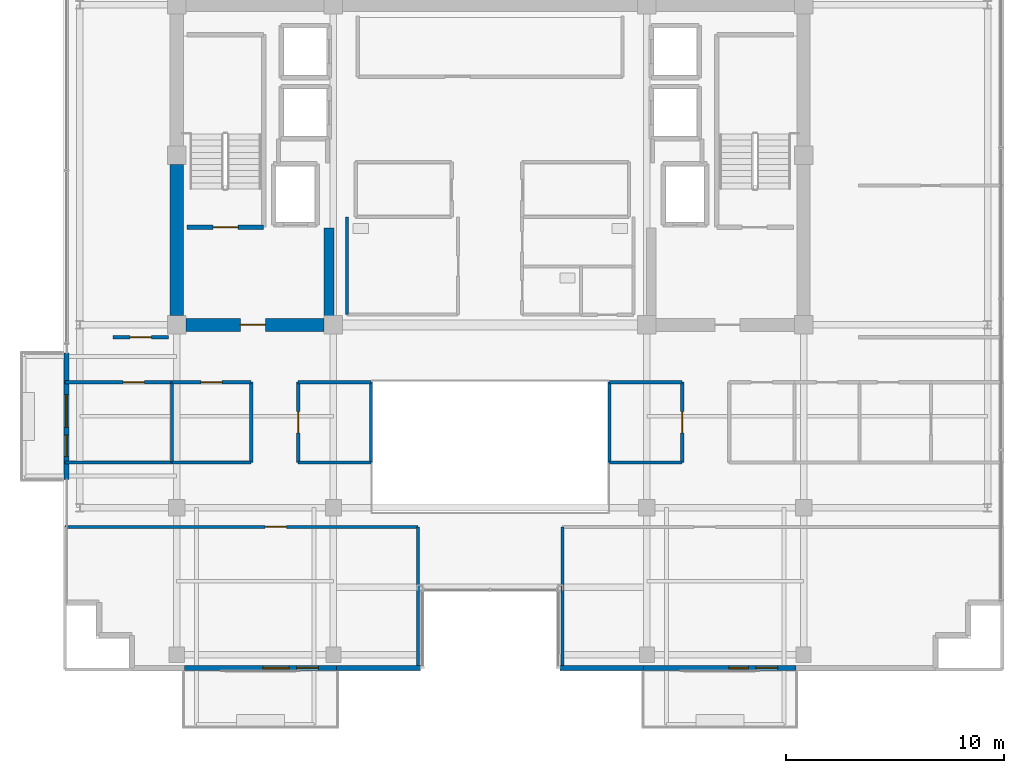
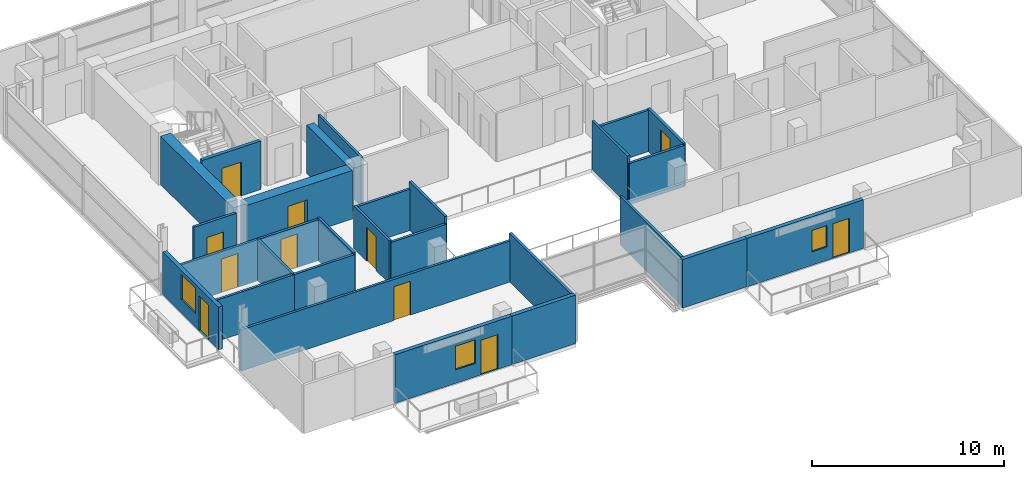
# One storey, part 15 of 21: 28 walls, 11 doors, 3 windows, 14 openings.
"""IFC4 building model written with IfcOpenShell, lengths in metres."""

import ifcopenshell
import ifcopenshell.guid

model = None  # the IFC model being written
_history = None  # IfcOwnerHistory: only IFC2X3 demands one
_inside = {}  # id of a spatial element -> (the spatial element, [elements in it])
_under = {}  # id of a project, library or spatial element -> (it, [spatial elements below it])
_declared = {}  # id of a project -> (the project, [libraries it declares])
_typed = {}  # id of a type object -> (the type object, [elements of that type])
_made_of = {}  # id of a material, layer set ... -> (it, [elements and type objects made of it])


def new_model(schema):
    """Start an empty IFC model of exactly this schema.

    Asked for "IFC4X3", IfcOpenShell would pick the latest addendum, in which some entities
    have other attributes; the version numbers below select the first issue.
    IFC2X3 requires an IfcOwnerHistory on every rooted entity: one is made here for all.
    """
    global model, _history
    if schema == "IFC4X3":
        model = ifcopenshell.file(schema_version=(4, 3, 0, 0))
    else:
        model = ifcopenshell.file(schema=schema)
    _inside.clear()
    _under.clear()
    _declared.clear()
    _typed.clear()
    _made_of.clear()
    _history = None
    if model.schema == "IFC2X3":
        org = make("IfcOrganization", Name="unknown")
        user = make(
            "IfcPersonAndOrganization",
            ThePerson=make("IfcPerson", FamilyName="unknown"),
            TheOrganization=org,
        )
        app = make(
            "IfcApplication",
            ApplicationDeveloper=org,
            Version="unknown",
            ApplicationFullName="unknown",
            ApplicationIdentifier="unknown",
        )
        _history = make(
            "IfcOwnerHistory",
            OwningUser=user,
            OwningApplication=app,
            ChangeAction="ADDED",
            CreationDate=0,
        )
    return model


def make(cls, **values):
    """One entity of the class cls with the attributes given. An attribute that is None is left unset."""
    return model.create_entity(
        cls, **{name: value for name, value in values.items() if value is not None}
    )


def rooted(cls, **values):
    """An entity with a GlobalId (a new one), such as an element, a storey or a relation."""
    return make(cls, GlobalId=ifcopenshell.guid.new(), OwnerHistory=_history, **values)


def si_unit(unit_type, name, prefix=None):
    """IfcSIUnit, for example si_unit("LENGTHUNIT", "METRE", prefix="MILLI")."""
    return make("IfcSIUnit", UnitType=unit_type, Prefix=prefix, Name=name)


def assignment(units):
    """IfcUnitAssignment: the units of a project."""
    return None if units is None else make("IfcUnitAssignment", Units=units)


def point(xyz):
    """IfcCartesianPoint."""
    return None if xyz is None else make("IfcCartesianPoint", Coordinates=xyz)


def direction(xyz):
    """IfcDirection."""
    return None if xyz is None else make("IfcDirection", DirectionRatios=xyz)


def frame(location, z_axis=None, x_axis=None):
    """IfcAxis2Placement3D, a coordinate frame: its origin and axes. An axis left out is left unset."""
    return make(
        "IfcAxis2Placement3D",
        Location=point(location),
        Axis=direction(z_axis),
        RefDirection=direction(x_axis),
    )


def frame_2d(location, x_axis=None):
    """IfcAxis2Placement2D, a coordinate frame in the plane: its origin and x axis."""
    return make(
        "IfcAxis2Placement2D", Location=point(location), RefDirection=direction(x_axis)
    )


def origin():
    """The frame at (0, 0, 0) with its axes left unset."""
    return frame((0.0, 0.0, 0.0))


def place(relative_to, where):
    """IfcLocalPlacement: puts the frame where relative to a parent placement (None: the world)."""
    return make(
        "IfcLocalPlacement", PlacementRelTo=relative_to, RelativePlacement=where
    )


def context(
    kind, dimensions, precision=None, world=None, true_north=None, identifier=None
):
    """IfcGeometricRepresentationContext, for example the 3D "Model" context."""
    return make(
        "IfcGeometricRepresentationContext",
        ContextIdentifier=identifier,
        ContextType=kind,
        CoordinateSpaceDimension=dimensions,
        Precision=precision,
        WorldCoordinateSystem=world,
        TrueNorth=true_north,
    )


def subcontext(parent, identifier, kind, view, scale=None):
    """IfcGeometricRepresentationSubContext, for example "Body" below "Model"."""
    return make(
        "IfcGeometricRepresentationSubContext",
        ContextIdentifier=identifier,
        ContextType=kind,
        ParentContext=parent,
        TargetScale=scale,
        TargetView=view,
    )


def project(units=None, contexts=None):
    """IfcProject with its units and contexts."""
    return rooted(
        "IfcProject",
        Name="project",
        RepresentationContexts=contexts,
        UnitsInContext=assignment(units),
    )


def spatial(cls, under=None, at=None, **own):
    """A site, building, storey or space (cls), placed at a placement, below another one or the project."""
    s = rooted(cls, ObjectPlacement=at, **own)
    if under is not None:
        _under.setdefault(under.id(), (under, []))[1].append(s)
    return s


def profile(cls, at=None, kind="AREA", **sizes):
    """A parametric profile (cls). Its sizes go by their IFC names, for example OverallWidth=200.0."""
    return make(cls, ProfileType=kind, Position=at, **sizes)


def rectangle(**sizes):
    """IfcRectangleProfileDef."""
    return profile("IfcRectangleProfileDef", **sizes)


def extrude(swept, where, along, depth):
    """IfcExtrudedAreaSolid: the profile swept, set in the frame where, extruded along a direction by depth."""
    return make(
        "IfcExtrudedAreaSolid",
        SweptArea=swept,
        Position=where,
        ExtrudedDirection=direction(along),
        Depth=depth,
    )


def shape(context_of_items, identifier, shape_type, items):
    """IfcShapeRepresentation: the items that make up one representation, for example the "Body"."""
    return make(
        "IfcShapeRepresentation",
        ContextOfItems=context_of_items,
        RepresentationIdentifier=identifier,
        RepresentationType=shape_type,
        Items=items,
    )


def source(mapping_origin, context_of_items, identifier, shape_type, items):
    """IfcRepresentationMap: a shape defined once, which mapped items show again and again."""
    return make(
        "IfcRepresentationMap",
        MappingOrigin=mapping_origin,
        MappedRepresentation=shape(context_of_items, identifier, shape_type, items),
    )


def transform(
    local_origin,
    x_axis=None,
    y_axis=None,
    z_axis=None,
    scale=None,
    scale2=None,
    scale3=None,
    uniform=True,
):
    """IfcCartesianTransformationOperator3D, or its non-uniform kind. x_axis, y_axis, z_axis: its Axis1, 2, 3."""
    if uniform:
        return make(
            "IfcCartesianTransformationOperator3D",
            Axis1=direction(x_axis),
            Axis2=direction(y_axis),
            LocalOrigin=point(local_origin),
            Scale=scale,
            Axis3=direction(z_axis),
        )
    return make(
        "IfcCartesianTransformationOperator3DnonUniform",
        Axis1=direction(x_axis),
        Axis2=direction(y_axis),
        LocalOrigin=point(local_origin),
        Scale=scale,
        Axis3=direction(z_axis),
        Scale2=scale2,
        Scale3=scale3,
    )


def mapped(mapping_source, mapping_target):
    """IfcMappedItem: shows the shape of a source again, moved by a transform."""
    return make(
        "IfcMappedItem", MappingSource=mapping_source, MappingTarget=mapping_target
    )


def material(Name=None, Category=None):
    """IfcMaterial."""
    return make("IfcMaterial", Name=Name, Category=Category)


def layer(
    of_material, thickness, ventilated=None, Name=None, Category=None, Priority=None
):
    """IfcMaterialLayer: one layer of a wall or slab, of a material (None: an air gap)."""
    return make(
        "IfcMaterialLayer",
        Material=of_material,
        LayerThickness=thickness,
        IsVentilated=ventilated,
        Name=Name,
        Category=Category,
        Priority=Priority,
    )


def layer_set(layers, Name=None):
    """IfcMaterialLayerSet."""
    return make("IfcMaterialLayerSet", MaterialLayers=layers, LayerSetName=Name)


def made_of(thing, what):
    """Note that an element or type object is made of a material, layer set ...; save() writes the relation."""
    if what is not None:
        _made_of.setdefault(what.id(), (what, []))[1].append(thing)
    return thing


def type_object(cls, material=None, **own):
    """A type object (cls), such as IfcWallType, which elements share."""
    return made_of(rooted(cls, **own), material)


def element(
    cls,
    number,
    at=None,
    inside=None,
    cuts=None,
    type_object=None,
    material=None,
    context=None,
    identifier="Body",
    shape_type=None,
    held_by="IfcProductDefinitionShape",
    body=None,
    shapes=None,
    **own,
):
    """One element of the class cls, such as IfcWall. Its Tag is "e" and its number.

    at: its placement. inside: the storey or other place that contains it. cuts: it is an
    opening in that element (IfcRelVoidsElement). A single representation is given by context,
    identifier, shape_type and body (its items); several are given by shapes. held_by: the class
    of the entity that holds the representations. save() writes the other relations.
    """
    e = rooted(cls, Tag="e%d" % number, ObjectPlacement=at, **own)
    if body is not None:
        shapes = [shape(context, identifier, shape_type, body)]
    if shapes is not None:
        e.Representation = make(held_by, Representations=shapes)
    if inside is not None:
        _inside.setdefault(inside.id(), (inside, []))[1].append(e)
    if cuts is not None:
        rooted(
            "IfcRelVoidsElement", RelatingBuildingElement=cuts, RelatedOpeningElement=e
        )
    if type_object is not None:
        _typed.setdefault(type_object.id(), (type_object, []))[1].append(e)
    return made_of(e, material)


def fill(opening, filler):
    """IfcRelFillsElement: the door or window that sits in an opening."""
    return rooted(
        "IfcRelFillsElement",
        RelatingOpeningElement=opening,
        RelatedBuildingElement=filler,
    )


def aggregate(whole, parts):
    """IfcRelAggregates: a whole, such as a stair, and the parts it consists of."""
    return rooted("IfcRelAggregates", RelatingObject=whole, RelatedObjects=parts)


def save(model, path):
    """Write the relations noted so far, then the file.

    IfcRelAggregates (storeys below a building ...), IfcRelContainedInSpatialStructure (elements
    in a storey), IfcRelDefinesByType, IfcRelAssociatesMaterial and IfcRelDeclares: one each for
    every whole, place, type object, material and project.
    """
    for whole, parts in _under.values():
        aggregate(whole, parts)
    for where, things in _inside.values():
        rooted(
            "IfcRelContainedInSpatialStructure",
            RelatedElements=things,
            RelatingStructure=where,
        )
    for kind, things in _typed.values():
        rooted("IfcRelDefinesByType", RelatedObjects=things, RelatingType=kind)
    for what, things in _made_of.values():
        rooted("IfcRelAssociatesMaterial", RelatedObjects=things, RelatingMaterial=what)
    for by, libraries in _declared.values():
        rooted("IfcRelDeclares", RelatingContext=by, RelatedDefinitions=libraries)
    model.write(path)


model = new_model("IFC4")

# Units and contexts
model_context = context("Model", 3, precision=1e-05, world=origin(), true_north=direction((0.0, 1.0)))
body_context = subcontext(model_context, "Body", "Model", "MODEL_VIEW")
ifc_project = project(units=[si_unit("LENGTHUNIT", "METRE"), si_unit("AREAUNIT", "SQUARE_METRE"), si_unit("VOLUMEUNIT", "CUBIC_METRE"), si_unit("PLANEANGLEUNIT", "RADIAN"), si_unit("MASSUNIT", "GRAM", prefix="KILO")], contexts=[model_context])

# Site, building, storey
site_placement = place(None, origin())
site = spatial("IfcSite", under=ifc_project, at=site_placement, CompositionType="ELEMENT")
building_placement = place(site_placement, origin())
building = spatial("IfcBuilding", under=site, at=building_placement, Name="Zarnakvel Exchange Tower", CompositionType="ELEMENT")
storey_placement = place(building_placement, frame((0.0, 0.0, 255.10009765625)))
storey = spatial("IfcBuildingStorey", under=building, at=storey_placement, Name="L72", CompositionType="ELEMENT", Elevation=255.10009765625)

# Wall
ifc_material_1 = material(Name="Concrete C50/60", Category="concrete")
ifc_layer_1 = layer(ifc_material_1, 0.60009765625)
ifc_layer_set_1 = layer_set([ifc_layer_1], Name="Concrete C50/60")
wall_type_1 = type_object("IfcWallType", Name="CW-C5", PredefinedType="SHEAR", material=ifc_layer_set_1)
wall_1_placement = place(storey_placement, frame((-14.39990234375, -0.77490234375, 0.0), z_axis=(0.0, 0.0, 1.0), x_axis=(0.0, 1.0, 0.0)))
element("IfcWall", 1, at=wall_1_placement, inside=storey, type_object=wall_type_1, Name="L72 Rear Core Shear Wall W1 (CW-C5)", PredefinedType="SHEAR", context=body_context, shape_type="SweptSolid", body=[
    extrude(rectangle(XDim=6.949951171875, YDim=0.60009765625, at=frame_2d((3.47509765625, 0.0))), origin(), (0.0, 0.0, 1.0), 3.074951171875),
])

# Wall, opening, door
wall_2_placement = place(storey_placement, frame((-7.625, -1.199951171875, 0.0), z_axis=(0.0, 0.0, 1.0), x_axis=(-1.0, 0.0, 0.0)))
wall_2 = element("IfcWall", 2, at=wall_2_placement, inside=storey, type_object=wall_type_1, Name="L72 Rear Core Shear Wall SW (CW-C5)", PredefinedType="SHEAR", context=body_context, shape_type="SweptSolid", body=[
    extrude(rectangle(XDim=6.35009765625, YDim=0.60009765625, at=frame_2d((3.175048828125, 0.0))), origin(), (0.0, 0.0, 1.0), 3.074951171875),
])
opening_1_placement = place(wall_2_placement, frame((2.699951171875, 0.0, 0.0)))
opening_1 = element("IfcOpeningElement", 3, at=opening_1_placement, cuts=wall_2, Name="Opening D-L72-03", PredefinedType="OPENING", context=body_context, shape_type="SweptSolid", body=[
    extrude(rectangle(XDim=1.14990234375, YDim=2.14990234375, at=frame_2d((0.574951171875, 1.074951171875))), frame((0.0, 0.31005859375, 0.0), z_axis=(0.0, -1.0, 0.0), x_axis=(1.0, 0.0, 0.0)), (0.0, 0.0, 1.0), 0.6201171875),
])
ifc_material_2 = material(Name="Painted Galvanised Steel S355", Category="steel")
door_type_1 = type_object("IfcDoorType", Name="DT-04", OperationType="NOTDEFINED", PredefinedType="DOOR", material=ifc_material_2)
shared_shape_1 = source(origin(), body_context, "Body", "SweptSolid", [
    extrude(rectangle(XDim=1.14990234375, YDim=2.14990234375, at=frame_2d((0.574951171875, 1.074951171875))), frame((0.0, 0.02490234375, 0.0), z_axis=(0.0, -1.0, 0.0), x_axis=(1.0, 0.0, 0.0)), (0.0, 0.0, 1.0), 0.050048828125),
])
door_1_placement = place(opening_1_placement, origin())
door_1 = element("IfcDoor", 4, at=door_1_placement, inside=storey, type_object=door_type_1, Name="L72 Firefighting Lobby West Door D-L72-03", OperationType="SINGLE_SWING_RIGHT", OverallHeight=2.14990234375, OverallWidth=1.14990234375, PredefinedType="DOOR", context=body_context, shape_type="MappedRepresentation", body=[
    mapped(shared_shape_1, transform((0.0, 0.0, 0.0), x_axis=(1.0, 0.0, 0.0), y_axis=(0.0, 1.0, 0.0), z_axis=(0.0, 0.0, 1.0), scale=1.0)),
])
fill(opening_1, door_1)

# Wall
ifc_layer_2 = layer(ifc_material_1, 0.449951171875)
ifc_layer_set_2 = layer_set([ifc_layer_2], Name="Concrete C50/60")
wall_type_2 = type_object("IfcWallType", Name="CW-C6", PredefinedType="SHEAR", material=ifc_layer_set_2)
wall_3_placement = place(storey_placement, frame((-7.39990234375, -0.89990234375, 0.0), z_axis=(0.0, 0.0, 1.0), x_axis=(0.0, 1.0, 0.0)))
element("IfcWall", 5, at=wall_3_placement, inside=storey, type_object=wall_type_2, Name="L72 Rear Core Shear Wall IW (CW-C6)", PredefinedType="SHEAR", context=body_context, shape_type="SweptSolid", body=[
    extrude(rectangle(XDim=4.14990234375, YDim=0.449951171875, at=frame_2d((2.074951171875, 0.0))), origin(), (0.0, 0.0, 1.0), 3.074951171875),
])

# Wall, openings, door, window
ifc_material_3 = material(Name="Precast concrete C40/50", Category="concrete")
ifc_layer_3 = layer(ifc_material_3, 0.239990234375)
ifc_layer_set_3 = layer_set([ifc_layer_3], Name="Precast concrete C40/50")
wall_type_3 = type_object("IfcWallType", Name="EW-02", PredefinedType="SOLIDWALL", material=ifc_layer_set_3)
wall_4_placement = place(storey_placement, frame((-7.050048828125, -16.9599609375, 0.0), z_axis=(0.0, 0.0, 1.0), x_axis=(-1.0, 0.0, 0.0)))
wall_4 = element("IfcWall", 6, at=wall_4_placement, inside=storey, type_object=wall_type_3, Name="L72 Exterior Precast Spandrel Wall EW-BAL-L72-SW (EW-02)", PredefinedType="SOLIDWALL", context=body_context, shape_type="SweptSolid", body=[
    extrude(rectangle(XDim=7.0, YDim=0.239990234375, at=frame_2d((3.5, 0.0))), origin(), (0.0, 0.0, 1.0), 3.074951171875),
])
opening_2_placement = place(wall_4_placement, frame((0.840087890625, 0.0, 0.0)))
opening_2 = element("IfcOpeningElement", 7, at=opening_2_placement, cuts=wall_4, Name="Opening BD-L72-01", PredefinedType="OPENING", context=body_context, shape_type="SweptSolid", body=[
    extrude(rectangle(XDim=1.0, YDim=2.199951171875, at=frame_2d((0.5, 1.10009765625))), frame((0.0, 0.1298828125, 0.0), z_axis=(0.0, -1.0, 0.0), x_axis=(1.0, 0.0, 0.0)), (0.0, 0.0, 1.0), 0.260009765625),
])
opening_3_placement = place(wall_4_placement, frame((2.18994140625, 0.0, 0.85009765625)))
opening_3 = element("IfcOpeningElement", 8, at=opening_3_placement, cuts=wall_4, Name="Opening WN-04", PredefinedType="OPENING", context=body_context, shape_type="SweptSolid", body=[
    extrude(rectangle(XDim=1.199951171875, YDim=1.5, at=frame_2d((0.60009765625, 0.75))), frame((0.0, 0.1298828125, 0.0), z_axis=(0.0, -1.0, 0.0), x_axis=(1.0, 0.0, 0.0)), (0.0, 0.0, 1.0), 0.260009765625),
])
ifc_material_4 = material(Name="Architectural Bronze Anodised Aluminium", Category="aluminium")
door_type_2 = type_object("IfcDoorType", Name="DT-09", OperationType="NOTDEFINED", PredefinedType="DOOR", material=ifc_material_4)
shared_shape_2 = source(origin(), body_context, "Body", "SweptSolid", [
    extrude(rectangle(XDim=1.0, YDim=2.199951171875, at=frame_2d((0.5, 1.10009765625))), frame((0.0, 0.02490234375, 0.0), z_axis=(0.0, -1.0, 0.0), x_axis=(1.0, 0.0, 0.0)), (0.0, 0.0, 1.0), 0.050048828125),
])
door_2_placement = place(opening_2_placement, origin())
door_2 = element("IfcDoor", 9, at=door_2_placement, inside=storey, type_object=door_type_2, Name="L72 Planted Loggia Balcony Door BD-L72-01", OperationType="SINGLE_SWING_RIGHT", OverallHeight=2.199951171875, OverallWidth=1.0, PredefinedType="DOOR", context=body_context, shape_type="MappedRepresentation", body=[
    mapped(shared_shape_2, transform((0.0, 0.0, 0.0), x_axis=(1.0, 0.0, 0.0), y_axis=(0.0, 1.0, 0.0), z_axis=(0.0, 0.0, 1.0), scale=1.0)),
])
fill(opening_2, door_2)
ifc_material_5 = material(Name="Double Low-E Laminated Vision Glass", Category="glass")
window_type_1 = type_object("IfcWindowType", Name="WN-04", PartitioningType="SINGLE_PANEL", PredefinedType="WINDOW", material=ifc_material_5)
shared_shape_3 = source(origin(), body_context, "Body", "SweptSolid", [
    extrude(rectangle(XDim=1.199951171875, YDim=1.5, at=frame_2d((0.60009765625, 0.75))), frame((0.0, 0.030029296875, 0.0), z_axis=(0.0, -1.0, 0.0), x_axis=(1.0, 0.0, 0.0)), (0.0, 0.0, 1.0), 0.06005859375),
])
window_1_placement = place(opening_3_placement, origin())
window_1 = element("IfcWindow", 10, at=window_1_placement, inside=storey, type_object=window_type_1, Name="L72 Loggia Daylight Window (WN-04)", OverallHeight=1.5, OverallWidth=1.199951171875, PartitioningType="SINGLE_PANEL", PredefinedType="WINDOW", context=body_context, shape_type="MappedRepresentation", body=[
    mapped(shared_shape_3, transform((0.0, 0.0, 0.0), x_axis=(1.0, 0.0, 0.0), y_axis=(0.0, 1.0, 0.0), z_axis=(0.0, 0.0, 1.0), scale=1.0)),
])
fill(opening_3, window_1)

wall_5_placement = place(storey_placement, frame((14.050048828125, -16.9599609375, 0.0), z_axis=(0.0, 0.0, 1.0), x_axis=(-1.0, 0.0, 0.0)))
wall_5 = element("IfcWall", 11, at=wall_5_placement, inside=storey, type_object=wall_type_3, Name="L72 Exterior Precast Spandrel Wall EW-BAL-L72-SE (EW-02)", PredefinedType="SOLIDWALL", context=body_context, shape_type="SweptSolid", body=[
    extrude(rectangle(XDim=7.0, YDim=0.239990234375, at=frame_2d((3.5, 0.0))), origin(), (0.0, 0.0, 1.0), 3.074951171875),
])
opening_4_placement = place(wall_5_placement, frame((0.840087890625, 0.0, 0.0)))
opening_4 = element("IfcOpeningElement", 12, at=opening_4_placement, cuts=wall_5, Name="Opening BD-L72-02", PredefinedType="OPENING", context=body_context, shape_type="SweptSolid", body=[
    extrude(rectangle(XDim=1.0, YDim=2.199951171875, at=frame_2d((0.5, 1.10009765625))), frame((0.0, 0.1298828125, 0.0), z_axis=(0.0, -1.0, 0.0), x_axis=(1.0, 0.0, 0.0)), (0.0, 0.0, 1.0), 0.260009765625),
])
opening_5_placement = place(wall_5_placement, frame((2.18994140625, 0.0, 0.85009765625)))
opening_5 = element("IfcOpeningElement", 13, at=opening_5_placement, cuts=wall_5, Name="Opening WN-06", PredefinedType="OPENING", context=body_context, shape_type="SweptSolid", body=[
    extrude(rectangle(XDim=0.89990234375, YDim=1.35009765625, at=frame_2d((0.449951171875, 0.675048828125))), frame((0.0, 0.1298828125, 0.0), z_axis=(0.0, -1.0, 0.0), x_axis=(1.0, 0.0, 0.0)), (0.0, 0.0, 1.0), 0.260009765625),
])
door_3_placement = place(opening_4_placement, origin())
door_3 = element("IfcDoor", 14, at=door_3_placement, inside=storey, type_object=door_type_2, Name="L72 Planted Loggia Balcony Door BD-L72-02", OperationType="SINGLE_SWING_LEFT", OverallHeight=2.199951171875, OverallWidth=1.0, PredefinedType="DOOR", context=body_context, shape_type="MappedRepresentation", body=[
    mapped(shared_shape_2, transform((0.0, 0.0, 0.0), x_axis=(1.0, 0.0, 0.0), y_axis=(0.0, 1.0, 0.0), z_axis=(0.0, 0.0, 1.0), scale=1.0)),
])
fill(opening_4, door_3)
window_type_2 = type_object("IfcWindowType", Name="WN-06", PartitioningType="SINGLE_PANEL", PredefinedType="WINDOW", material=ifc_material_5)
shared_shape_4 = source(origin(), body_context, "Body", "SweptSolid", [
    extrude(rectangle(XDim=0.89990234375, YDim=1.35009765625, at=frame_2d((0.449951171875, 0.675048828125))), frame((0.0, 0.030029296875, 0.0), z_axis=(0.0, -1.0, 0.0), x_axis=(1.0, 0.0, 0.0)), (0.0, 0.0, 1.0), 0.06005859375),
])
window_2_placement = place(opening_5_placement, origin())
window_2 = element("IfcWindow", 15, at=window_2_placement, inside=storey, type_object=window_type_2, Name="L72 Loggia Daylight Window (WN-06)", OverallHeight=1.35009765625, OverallWidth=0.89990234375, PartitioningType="SINGLE_PANEL", PredefinedType="WINDOW", context=body_context, shape_type="MappedRepresentation", body=[
    mapped(shared_shape_4, transform((0.0, 0.0, 0.0), x_axis=(1.0, 0.0, 0.0), y_axis=(0.0, 1.0, 0.0), z_axis=(0.0, 0.0, 1.0), scale=1.0)),
])
fill(opening_5, window_2)

wall_6_placement = place(storey_placement, frame((-19.4599609375, -8.300048828125, 0.0), z_axis=(0.0, 0.0, 1.0), x_axis=(0.0, 1.0, 0.0)))
wall_6 = element("IfcWall", 16, at=wall_6_placement, inside=storey, type_object=wall_type_3, Name="L72 Exterior Precast Spandrel Wall EW-BAL-L72-W (EW-02)", PredefinedType="SOLIDWALL", context=body_context, shape_type="SweptSolid", body=[
    extrude(rectangle(XDim=5.800048828125, YDim=0.239990234375, at=frame_2d((2.89990234375, 0.0))), origin(), (0.0, 0.0, 1.0), 2.704833984375),
])
opening_6_placement = place(wall_6_placement, frame((1.0439453125, 0.0, 0.0)))
opening_6 = element("IfcOpeningElement", 17, at=opening_6_placement, cuts=wall_6, Name="Opening BD-L72-03", PredefinedType="OPENING", context=body_context, shape_type="SweptSolid", body=[
    extrude(rectangle(XDim=1.0, YDim=2.199951171875, at=frame_2d((0.5, 1.10009765625))), frame((0.0, 0.1298828125, 0.0), z_axis=(0.0, -1.0, 0.0), x_axis=(1.0, 0.0, 0.0)), (0.0, 0.0, 1.0), 0.260009765625),
])
opening_7_placement = place(wall_6_placement, frame((2.39404296875, 0.0, 0.85009765625)))
opening_7 = element("IfcOpeningElement", 18, at=opening_7_placement, cuts=wall_6, Name="Opening WN-03", PredefinedType="OPENING", context=body_context, shape_type="SweptSolid", body=[
    extrude(rectangle(XDim=1.5, YDim=1.60009765625, at=frame_2d((0.75, 0.800048828125))), frame((0.0, 0.1298828125, 0.0), z_axis=(0.0, -1.0, 0.0), x_axis=(1.0, 0.0, 0.0)), (0.0, 0.0, 1.0), 0.260009765625),
])
door_4_placement = place(opening_6_placement, origin())
door_4 = element("IfcDoor", 19, at=door_4_placement, inside=storey, type_object=door_type_2, Name="L72 Planted Loggia Balcony Door BD-L72-03", OperationType="SINGLE_SWING_RIGHT", OverallHeight=2.199951171875, OverallWidth=1.0, PredefinedType="DOOR", context=body_context, shape_type="MappedRepresentation", body=[
    mapped(shared_shape_2, transform((0.0, 0.0, 0.0), x_axis=(1.0, 0.0, 0.0), y_axis=(0.0, 1.0, 0.0), z_axis=(0.0, 0.0, 1.0), scale=1.0)),
])
fill(opening_6, door_4)
window_type_3 = type_object("IfcWindowType", Name="WN-03", PartitioningType="SINGLE_PANEL", PredefinedType="WINDOW", material=ifc_material_5)
shared_shape_5 = source(origin(), body_context, "Body", "SweptSolid", [
    extrude(rectangle(XDim=1.5, YDim=1.60009765625, at=frame_2d((0.75, 0.800048828125))), frame((0.0, 0.030029296875, 0.0), z_axis=(0.0, -1.0, 0.0), x_axis=(1.0, 0.0, 0.0)), (0.0, 0.0, 1.0), 0.06005859375),
])
window_3_placement = place(opening_7_placement, origin())
window_3 = element("IfcWindow", 20, at=window_3_placement, inside=storey, type_object=window_type_3, Name="L72 Loggia Daylight Window (WN-03)", OverallHeight=1.60009765625, OverallWidth=1.5, PartitioningType="SINGLE_PANEL", PredefinedType="WINDOW", context=body_context, shape_type="MappedRepresentation", body=[
    mapped(shared_shape_5, transform((0.0, 0.0, 0.0), x_axis=(1.0, 0.0, 0.0), y_axis=(0.0, 1.0, 0.0), z_axis=(0.0, 0.0, 1.0), scale=1.0)),
])
fill(opening_7, window_3)

# Walls
for number, where, z_axis, x_axis, name in (
    (21, (3.199951171875, -16.9599609375, 0.0), (0.0, 0.0, 1.0), (1.0, 0.0, 0.0), "L72 Exterior Precast Spandrel Wall EWC-L72-16 (EW-02)"),
    (22, (-7.050048828125, -16.9599609375, 0.0), (0.0, 0.0, 1.0), (1.0, 0.0, 0.0), "L72 Exterior Precast Spandrel Wall EWC-L72-21 (EW-02)"),
):
    element("IfcWall", number, at=place(storey_placement, frame(where, z_axis=z_axis, x_axis=x_axis)), inside=storey, type_object=wall_type_3, Name=name, PredefinedType="SOLIDWALL", context=body_context, shape_type="SweptSolid", body=[
        extrude(rectangle(XDim=3.85009765625, YDim=0.239990234375, at=frame_2d((1.925048828125, 0.0))), origin(), (0.0, 0.0, 1.0), 3.074951171875),
    ])
ifc_material_6 = material(Name="Fire-Rated Gypsum Stud Partition", Category="gypsum")
ifc_layer_4 = layer(ifc_material_6, 0.14990234375)
ifc_layer_set_4 = layer_set([ifc_layer_4], Name="Fire-Rated Gypsum Stud Partition")
wall_type_4 = type_object("IfcWallType", Name="PT-01", PredefinedType="PARTITIONING", material=ifc_layer_set_4)
wall_7_placement = place(storey_placement, frame((-14.621826171875, -7.52001953125, 0.0), z_axis=(0.0, 0.0, 1.0), x_axis=(-1.0, 0.0, 0.0)))
element("IfcWall", 23, at=wall_7_placement, inside=storey, type_object=wall_type_4, Name="L72 Partition Wall PWALL-L72-033 (PT-01)", PredefinedType="PARTITIONING", context=body_context, shape_type="SweptSolid", body=[
    extrude(rectangle(XDim=4.908203125, YDim=0.14990234375, at=frame_2d((2.4541015625, 0.0))), origin(), (0.0, 0.0, 1.0), 2.614990234375),
])

# Wall, opening, door
wall_8_placement = place(storey_placement, frame((-19.530029296875, -3.830078125, 0.0), z_axis=(0.0, 0.0, 1.0), x_axis=(1.0, 0.0, 0.0)))
wall_8 = element("IfcWall", 24, at=wall_8_placement, inside=storey, type_object=wall_type_4, Name="L72 Partition Wall PWALL-L72-034 (PT-01)", PredefinedType="PARTITIONING", context=body_context, shape_type="SweptSolid", body=[
    extrude(rectangle(XDim=4.908203125, YDim=0.14990234375, at=frame_2d((2.4541015625, 0.0))), origin(), (0.0, 0.0, 1.0), 2.614990234375),
])
opening_8_placement = place(wall_8_placement, frame((2.6640625, 0.0, 0.0)))
opening_8 = element("IfcOpeningElement", 25, at=opening_8_placement, cuts=wall_8, Name="Opening D-L72-12", PredefinedType="OPENING", context=body_context, shape_type="SweptSolid", body=[
    extrude(rectangle(XDim=0.97998046875, YDim=2.14990234375, at=frame_2d((0.489990234375, 1.074951171875))), frame((0.0, 0.0849609375, 0.0), z_axis=(0.0, -1.0, 0.0), x_axis=(1.0, 0.0, 0.0)), (0.0, 0.0, 1.0), 0.169921875),
])
ifc_material_7 = material(Name="Timber Acoustic Veneer", Category="wood")
door_type_3 = type_object("IfcDoorType", Name="DT-05", OperationType="NOTDEFINED", PredefinedType="DOOR", material=ifc_material_7)
shared_shape_6 = source(origin(), body_context, "Body", "SweptSolid", [
    extrude(rectangle(XDim=0.97998046875, YDim=2.14990234375, at=frame_2d((0.489990234375, 1.074951171875))), frame((0.0, 0.02490234375, 0.0), z_axis=(0.0, -1.0, 0.0), x_axis=(1.0, 0.0, 0.0)), (0.0, 0.0, 1.0), 0.050048828125),
])
door_5_placement = place(opening_8_placement, origin())
door_5 = element("IfcDoor", 26, at=door_5_placement, inside=storey, type_object=door_type_3, Name="L72 Sovereign Wealth Office Door D-L72-12", OperationType="SINGLE_SWING_LEFT", OverallHeight=2.14990234375, OverallWidth=0.97998046875, PredefinedType="DOOR", context=body_context, shape_type="MappedRepresentation", body=[
    mapped(shared_shape_6, transform((0.0, 0.0, 0.0), x_axis=(1.0, 0.0, 0.0), y_axis=(0.0, 1.0, 0.0), z_axis=(0.0, 0.0, 1.0), scale=1.0)),
])
fill(opening_8, door_5)

# Walls
wall_9_placement = place(storey_placement, frame((-14.621826171875, -3.830078125, 0.0), z_axis=(0.0, 0.0, 1.0), x_axis=(0.0, -1.0, 0.0)))
element("IfcWall", 27, at=wall_9_placement, inside=storey, type_object=wall_type_4, Name="L72 Partition Wall PWALL-L72-036 (PT-01)", PredefinedType="PARTITIONING", context=body_context, shape_type="SweptSolid", body=[
    extrude(rectangle(XDim=3.68994140625, YDim=0.14990234375, at=frame_2d((1.844970703125, 0.0))), origin(), (0.0, 0.0, 1.0), 2.614990234375),
])
wall_10_placement = place(storey_placement, frame((-10.97998046875, -7.52001953125, 0.0), z_axis=(0.0, 0.0, 1.0), x_axis=(-1.0, 0.0, 0.0)))
element("IfcWall", 28, at=wall_10_placement, inside=storey, type_object=wall_type_4, Name="L72 Partition Wall PWALL-L72-037 (PT-01)", PredefinedType="PARTITIONING", context=body_context, shape_type="SweptSolid", body=[
    extrude(rectangle(XDim=3.641845703125, YDim=0.14990234375, at=frame_2d((1.82080078125, 0.0))), origin(), (0.0, 0.0, 1.0), 2.614990234375),
])

# Wall, opening, door
wall_11_placement = place(storey_placement, frame((-14.621826171875, -3.830078125, 0.0), z_axis=(0.0, 0.0, 1.0), x_axis=(1.0, 0.0, 0.0)))
wall_11 = element("IfcWall", 29, at=wall_11_placement, inside=storey, type_object=wall_type_4, Name="L72 Partition Wall PWALL-L72-038 (PT-01)", PredefinedType="PARTITIONING", context=body_context, shape_type="SweptSolid", body=[
    extrude(rectangle(XDim=3.641845703125, YDim=0.14990234375, at=frame_2d((1.82080078125, 0.0))), origin(), (0.0, 0.0, 1.0), 2.614990234375),
])
opening_9_placement = place(wall_11_placement, frame((1.330810546875, 0.0, 0.0)))
opening_9 = element("IfcOpeningElement", 30, at=opening_9_placement, cuts=wall_11, Name="Opening D-L72-13", PredefinedType="OPENING", context=body_context, shape_type="SweptSolid", body=[
    extrude(rectangle(XDim=0.97998046875, YDim=2.14990234375, at=frame_2d((0.489990234375, 1.074951171875))), frame((0.0, 0.0849609375, 0.0), z_axis=(0.0, -1.0, 0.0), x_axis=(1.0, 0.0, 0.0)), (0.0, 0.0, 1.0), 0.169921875),
])
door_6_placement = place(opening_9_placement, origin())
door_6 = element("IfcDoor", 31, at=door_6_placement, inside=storey, type_object=door_type_3, Name="L72 Corporate Advisory Suite Door D-L72-13", OperationType="SINGLE_SWING_RIGHT", OverallHeight=2.14990234375, OverallWidth=0.97998046875, PredefinedType="DOOR", context=body_context, shape_type="MappedRepresentation", body=[
    mapped(shared_shape_6, transform((0.0, 0.0, 0.0), x_axis=(1.0, 0.0, 0.0), y_axis=(0.0, 1.0, 0.0), z_axis=(0.0, 0.0, 1.0), scale=1.0)),
])
fill(opening_9, door_6)

# Wall
wall_12_placement = place(storey_placement, frame((-10.97998046875, -3.830078125, 0.0), z_axis=(0.0, 0.0, 1.0), x_axis=(0.0, -1.0, 0.0)))
element("IfcWall", 32, at=wall_12_placement, inside=storey, type_object=wall_type_4, Name="L72 Partition Wall PWALL-L72-039 (PT-01)", PredefinedType="PARTITIONING", context=body_context, shape_type="SweptSolid", body=[
    extrude(rectangle(XDim=3.68994140625, YDim=0.14990234375, at=frame_2d((1.844970703125, 0.0))), origin(), (0.0, 0.0, 1.0), 2.704833984375),
])

# Wall, opening, door
wall_13_placement = place(storey_placement, frame((-19.530029296875, -10.47998046875, 0.0), z_axis=(0.0, 0.0, 1.0), x_axis=(1.0, 0.0, 0.0)))
wall_13 = element("IfcWall", 33, at=wall_13_placement, inside=storey, type_object=wall_type_4, Name="L72 Partition Wall PWALL-L72-041 (PT-01)", PredefinedType="PARTITIONING", context=body_context, shape_type="SweptSolid", body=[
    extrude(rectangle(XDim=16.2099609375, YDim=0.14990234375, at=frame_2d((8.10498046875, 0.0))), origin(), (0.0, 0.0, 1.0), 2.614990234375),
])
opening_10_placement = place(wall_13_placement, frame((9.18994140625, 0.0, 0.0)))
opening_10 = element("IfcOpeningElement", 34, at=opening_10_placement, cuts=wall_13, Name="Opening D-L72-14", PredefinedType="OPENING", context=body_context, shape_type="SweptSolid", body=[
    extrude(rectangle(XDim=0.97998046875, YDim=2.14990234375, at=frame_2d((0.489990234375, 1.074951171875))), frame((0.0, 0.0849609375, 0.0), z_axis=(0.0, -1.0, 0.0), x_axis=(1.0, 0.0, 0.0)), (0.0, 0.0, 1.0), 0.169921875),
])
door_7_placement = place(opening_10_placement, origin())
door_7 = element("IfcDoor", 35, at=door_7_placement, inside=storey, type_object=door_type_3, Name="L72 Sovereign Wealth Office Door D-L72-14", OperationType="SINGLE_SWING_LEFT", OverallHeight=2.14990234375, OverallWidth=0.97998046875, PredefinedType="DOOR", context=body_context, shape_type="MappedRepresentation", body=[
    mapped(shared_shape_6, transform((0.0, 0.0, 0.0), x_axis=(1.0, 0.0, 0.0), y_axis=(0.0, 1.0, 0.0), z_axis=(0.0, 0.0, 1.0), scale=1.0)),
])
fill(opening_10, door_7)

# Walls
for number, where, z_axis, x_axis, name in (
    (36, (-3.320068359375, -10.47998046875, 0.0), (0.0, 0.0, 1.0), (0.0, -1.0, 0.0), "L72 Partition Wall PWALL-L72-043 (PT-01)"),
    (37, (3.320068359375, -17.030029296875, 0.0), (0.0, 0.0, 1.0), (0.0, 1.0, 0.0), "L72 Partition Wall PWALL-L72-059 (PT-01)"),
):
    element("IfcWall", number, at=place(storey_placement, frame(where, z_axis=z_axis, x_axis=x_axis)), inside=storey, type_object=wall_type_4, Name=name, PredefinedType="PARTITIONING", context=body_context, shape_type="SweptSolid", body=[
        extrude(rectangle(XDim=6.550048828125, YDim=0.14990234375, at=frame_2d((3.27490234375, 0.0))), origin(), (0.0, 0.0, 1.0), 3.074951171875),
    ])
for number, where, z_axis, x_axis, name in (
    (38, (-5.47998046875, -7.52001953125, 0.0), (0.0, 0.0, 1.0), (-1.0, 0.0, 0.0), "L72 Partition Wall PWALL-L72-061 (PT-01)"),
    (39, (-8.820068359375, -3.830078125, 0.0), (0.0, 0.0, 1.0), (1.0, 0.0, 0.0), "L72 Partition Wall PWALL-L72-062 (PT-01)"),
):
    element("IfcWall", number, at=place(storey_placement, frame(where, z_axis=z_axis, x_axis=x_axis)), inside=storey, type_object=wall_type_4, Name=name, PredefinedType="PARTITIONING", context=body_context, shape_type="SweptSolid", body=[
        extrude(rectangle(XDim=3.340087890625, YDim=0.14990234375, at=frame_2d((1.669921875, 0.0))), origin(), (0.0, 0.0, 1.0), 2.614990234375),
    ])

# Wall, opening, door
wall_14_placement = place(storey_placement, frame((-8.820068359375, -7.52001953125, 0.0), z_axis=(0.0, 0.0, 1.0), x_axis=(0.0, 1.0, 0.0)))
wall_14 = element("IfcWall", 40, at=wall_14_placement, inside=storey, type_object=wall_type_4, Name="L72 Partition Wall PWALL-L72-063 (PT-01)", PredefinedType="PARTITIONING", context=body_context, shape_type="SweptSolid", body=[
    extrude(rectangle(XDim=3.68994140625, YDim=0.14990234375, at=frame_2d((1.844970703125, 0.0))), origin(), (0.0, 0.0, 1.0), 2.704833984375),
])
opening_11_placement = place(wall_14_placement, frame((1.35498046875, 0.0, 0.0)))
opening_11 = element("IfcOpeningElement", 41, at=opening_11_placement, cuts=wall_14, Name="Opening D-L72-20", PredefinedType="OPENING", context=body_context, shape_type="SweptSolid", body=[
    extrude(rectangle(XDim=0.97998046875, YDim=2.14990234375, at=frame_2d((0.489990234375, 1.074951171875))), frame((0.0, 0.0849609375, 0.0), z_axis=(0.0, -1.0, 0.0), x_axis=(1.0, 0.0, 0.0)), (0.0, 0.0, 1.0), 0.169921875),
])
door_8_placement = place(opening_11_placement, origin())
door_8 = element("IfcDoor", 42, at=door_8_placement, inside=storey, type_object=door_type_3, Name="L72 Executive Pantry Door D-L72-20", OperationType="SINGLE_SWING_LEFT", OverallHeight=2.14990234375, OverallWidth=0.97998046875, PredefinedType="DOOR", context=body_context, shape_type="MappedRepresentation", body=[
    mapped(shared_shape_6, transform((0.0, 0.0, 0.0), x_axis=(1.0, 0.0, 0.0), y_axis=(0.0, 1.0, 0.0), z_axis=(0.0, 0.0, 1.0), scale=1.0)),
])
fill(opening_11, door_8)

# Walls
wall_15_placement = place(storey_placement, frame((-5.47998046875, -3.830078125, 0.0), z_axis=(0.0, 0.0, 1.0), x_axis=(0.0, -1.0, 0.0)))
element("IfcWall", 43, at=wall_15_placement, inside=storey, type_object=wall_type_4, Name="L72 Partition Wall PWALL-L72-064 (PT-01)", PredefinedType="PARTITIONING", context=body_context, shape_type="SweptSolid", body=[
    extrude(rectangle(XDim=3.68994140625, YDim=0.14990234375, at=frame_2d((1.844970703125, 0.0))), origin(), (0.0, 0.0, 1.0), 3.074951171875),
])
for number, where, z_axis, x_axis, name in (
    (44, (8.820068359375, -7.52001953125, 0.0), (0.0, 0.0, 1.0), (-1.0, 0.0, 0.0), "L72 Partition Wall PWALL-L72-065 (PT-01)"),
    (45, (5.47998046875, -3.830078125, 0.0), (0.0, 0.0, 1.0), (1.0, 0.0, 0.0), "L72 Partition Wall PWALL-L72-066 (PT-01)"),
):
    element("IfcWall", number, at=place(storey_placement, frame(where, z_axis=z_axis, x_axis=x_axis)), inside=storey, type_object=wall_type_4, Name=name, PredefinedType="PARTITIONING", context=body_context, shape_type="SweptSolid", body=[
        extrude(rectangle(XDim=3.340087890625, YDim=0.14990234375, at=frame_2d((1.669921875, 0.0))), origin(), (0.0, 0.0, 1.0), 2.614990234375),
    ])
wall_16_placement = place(storey_placement, frame((5.47998046875, -7.52001953125, 0.0), z_axis=(0.0, 0.0, 1.0), x_axis=(0.0, 1.0, 0.0)))
element("IfcWall", 46, at=wall_16_placement, inside=storey, type_object=wall_type_4, Name="L72 Partition Wall PWALL-L72-067 (PT-01)", PredefinedType="PARTITIONING", context=body_context, shape_type="SweptSolid", body=[
    extrude(rectangle(XDim=3.68994140625, YDim=0.14990234375, at=frame_2d((1.844970703125, 0.0))), origin(), (0.0, 0.0, 1.0), 3.074951171875),
])

# Wall, opening, door
wall_17_placement = place(storey_placement, frame((8.820068359375, -3.830078125, 0.0), z_axis=(0.0, 0.0, 1.0), x_axis=(0.0, -1.0, 0.0)))
wall_17 = element("IfcWall", 47, at=wall_17_placement, inside=storey, type_object=wall_type_4, Name="L72 Partition Wall PWALL-L72-068 (PT-01)", PredefinedType="PARTITIONING", context=body_context, shape_type="SweptSolid", body=[
    extrude(rectangle(XDim=3.68994140625, YDim=0.14990234375, at=frame_2d((1.844970703125, 0.0))), origin(), (0.0, 0.0, 1.0), 2.704833984375),
])
opening_12_placement = place(wall_17_placement, frame((1.35498046875, 0.0, 0.0)))
opening_12 = element("IfcOpeningElement", 48, at=opening_12_placement, cuts=wall_17, Name="Opening D-L72-21", PredefinedType="OPENING", context=body_context, shape_type="SweptSolid", body=[
    extrude(rectangle(XDim=0.97998046875, YDim=2.14990234375, at=frame_2d((0.489990234375, 1.074951171875))), frame((0.0, 0.0849609375, 0.0), z_axis=(0.0, -1.0, 0.0), x_axis=(1.0, 0.0, 0.0)), (0.0, 0.0, 1.0), 0.169921875),
])
door_9_placement = place(opening_12_placement, origin())
door_9 = element("IfcDoor", 49, at=door_9_placement, inside=storey, type_object=door_type_3, Name="L72 Legal Records Office Door D-L72-21", OperationType="SINGLE_SWING_RIGHT", OverallHeight=2.14990234375, OverallWidth=0.97998046875, PredefinedType="DOOR", context=body_context, shape_type="MappedRepresentation", body=[
    mapped(shared_shape_6, transform((0.0, 0.0, 0.0), x_axis=(1.0, 0.0, 0.0), y_axis=(0.0, 1.0, 0.0), z_axis=(0.0, 0.0, 1.0), scale=1.0)),
])
fill(opening_12, door_9)

wall_18_placement = place(storey_placement, frame((-14.77001953125, -1.77001953125, 0.0), z_axis=(0.0, 0.0, 1.0), x_axis=(-1.0, 0.0, 0.0)))
wall_18 = element("IfcWall", 50, at=wall_18_placement, inside=storey, type_object=wall_type_4, Name="L72 Partition Wall PWALL-L72-069 (PT-01)", PredefinedType="PARTITIONING", context=body_context, shape_type="SweptSolid", body=[
    extrude(rectangle(XDim=2.56494140625, YDim=0.14990234375, at=frame_2d((1.282470703125, 0.0))), origin(), (0.0, 0.0, 1.0), 3.074951171875),
])
opening_13_placement = place(wall_18_placement, frame((0.7919921875, 0.0, 0.0)))
opening_13 = element("IfcOpeningElement", 51, at=opening_13_placement, cuts=wall_18, Name="Opening D-L72-22", PredefinedType="OPENING", context=body_context, shape_type="SweptSolid", body=[
    extrude(rectangle(XDim=0.97998046875, YDim=2.14990234375, at=frame_2d((0.489990234375, 1.074951171875))), frame((0.0, 0.0849609375, 0.0), z_axis=(0.0, -1.0, 0.0), x_axis=(1.0, 0.0, 0.0)), (0.0, 0.0, 1.0), 0.169921875),
])
door_10_placement = place(opening_13_placement, origin())
door_10 = element("IfcDoor", 52, at=door_10_placement, inside=storey, type_object=door_type_3, Name="L72 Executive Pantry Door D-L72-22", OperationType="SINGLE_SWING_LEFT", OverallHeight=2.14990234375, OverallWidth=0.97998046875, PredefinedType="DOOR", context=body_context, shape_type="MappedRepresentation", body=[
    mapped(shared_shape_6, transform((0.0, 0.0, 0.0), x_axis=(1.0, 0.0, 0.0), y_axis=(0.0, 1.0, 0.0), z_axis=(0.0, 0.0, 1.0), scale=1.0)),
])
fill(opening_13, door_10)

# Wall
ifc_material_8 = material(Name="Moisture-Resistant Tile-Faced Partition", Category="gypsum")
ifc_layer_5 = layer(ifc_material_8, 0.135009765625)
ifc_layer_set_5 = layer_set([ifc_layer_5], Name="Moisture-Resistant Tile-Faced Partition")
wall_type_5 = type_object("IfcWallType", Name="PT-03", PredefinedType="PARTITIONING", material=ifc_layer_set_5)
wall_19_placement = place(storey_placement, frame((-6.580078125, -0.72998046875, 0.0), z_axis=(0.0, 0.0, 1.0), x_axis=(0.0, 1.0, 0.0)))
element("IfcWall", 53, at=wall_19_placement, inside=storey, type_object=wall_type_5, Name="L72 Partition Wall PWALL-L72-023 (PT-03)", PredefinedType="PARTITIONING", context=body_context, shape_type="SweptSolid", body=[
    extrude(rectangle(XDim=4.489990234375, YDim=0.135009765625, at=frame_2d((2.2451171875, 0.0))), origin(), (0.0, 0.0, 1.0), 3.074951171875),
])

# Wall, opening, door
ifc_material_9 = material(Name="Concrete C40/50", Category="concrete")
ifc_layer_6 = layer(ifc_material_9, 0.199951171875)
ifc_layer_set_6 = layer_set([ifc_layer_6], Name="Concrete C40/50")
wall_type_6 = type_object("IfcWallType", Name="SW-02", PredefinedType="SOLIDWALL", material=ifc_layer_set_6)
wall_20_placement = place(storey_placement, frame((-10.409912109375, 3.2900390625, 0.0), z_axis=(0.0, 0.0, 1.0), x_axis=(-1.0, 0.0, 0.0)))
wall_20 = element("IfcWall", 54, at=wall_20_placement, inside=storey, type_object=wall_type_6, Name="L72 Stairwell Core Wall PWALL-L72-001 (SW-02)", PredefinedType="SOLIDWALL", context=body_context, shape_type="SweptSolid", body=[
    extrude(rectangle(XDim=3.52001953125, YDim=0.199951171875, at=frame_2d((1.760009765625, 0.0))), origin(), (0.0, 0.0, 1.0), 3.074951171875),
])
opening_14_placement = place(wall_20_placement, frame((1.1650390625, 0.0, 0.0)))
opening_14 = element("IfcOpeningElement", 55, at=opening_14_placement, cuts=wall_20, Name="Opening D-L72-01", PredefinedType="OPENING", context=body_context, shape_type="SweptSolid", body=[
    extrude(rectangle(XDim=1.14990234375, YDim=2.14990234375, at=frame_2d((0.574951171875, 1.074951171875))), frame((0.0, 0.10986328125, 0.0), z_axis=(0.0, -1.0, 0.0), x_axis=(1.0, 0.0, 0.0)), (0.0, 0.0, 1.0), 0.219970703125),
])
door_11_placement = place(opening_14_placement, origin())
door_11 = element("IfcDoor", 56, at=door_11_placement, inside=storey, type_object=door_type_1, Name="L72 Stairwell ST-01 Door D-L72-01", OperationType="SINGLE_SWING_RIGHT", OverallHeight=2.14990234375, OverallWidth=1.14990234375, PredefinedType="DOOR", context=body_context, shape_type="MappedRepresentation", body=[
    mapped(shared_shape_1, transform((0.0, 0.0, 0.0), x_axis=(1.0, 0.0, 0.0), y_axis=(0.0, 1.0, 0.0), z_axis=(0.0, 0.0, 1.0), scale=1.0)),
])
fill(opening_14, door_11)

save(model, "model.ifc")
